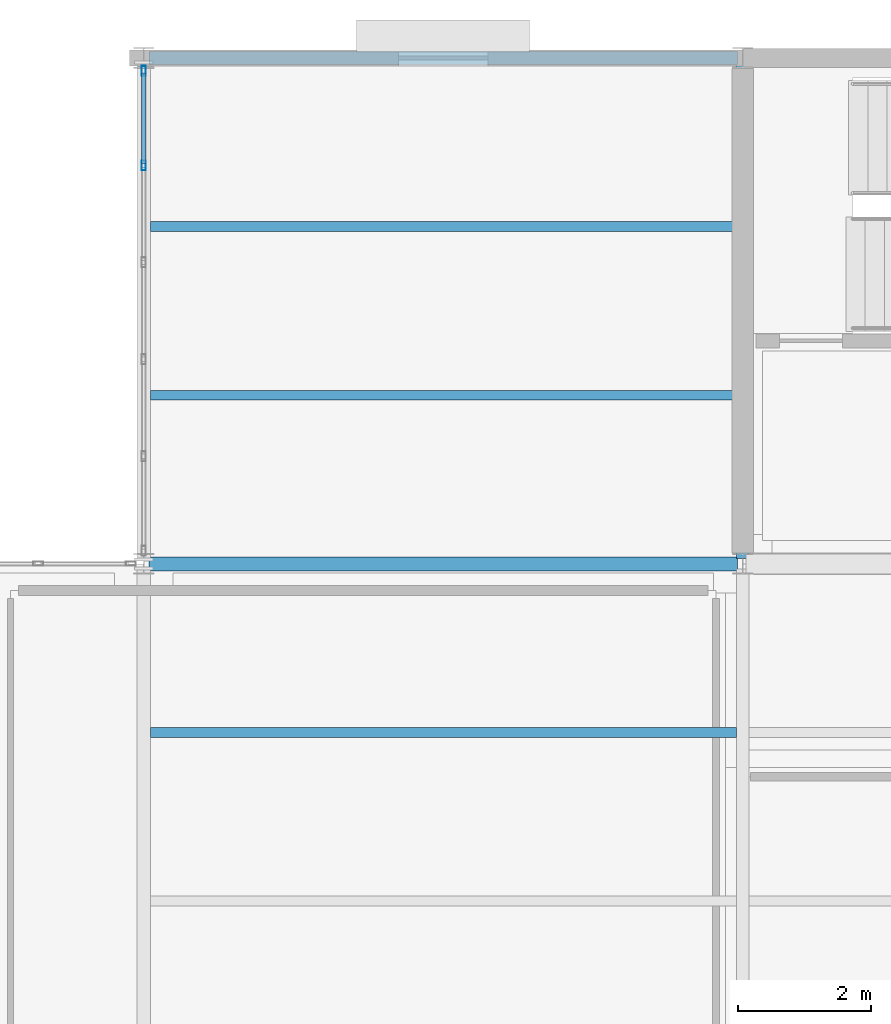
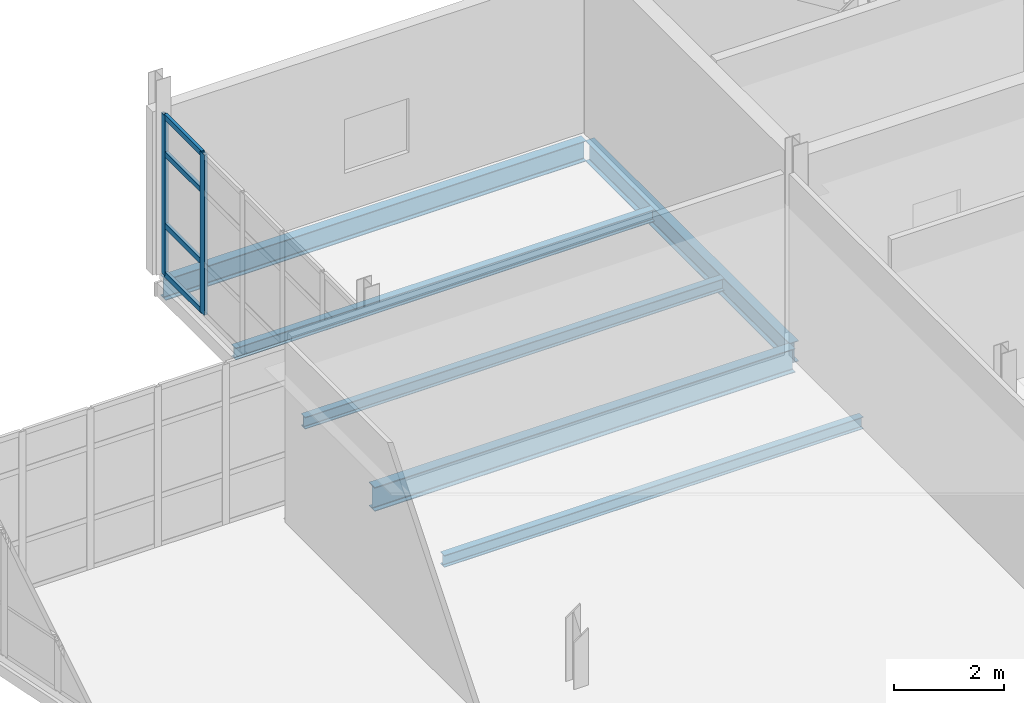
# One storey, part 105 of 166: 6 beams, 6 members, 1 element without a shape of its own.
"""IFC4 building model written with IfcOpenShell, lengths in metres."""

from ifc_helpers import new_model, si_unit, direction, frame, origin, origin_2d, place, context, subcontext, project, spatial, hollow_rectangle, i_section, extrude, material, material_profile, profile_set, type_object, element, aggregate, save


model = new_model("IFC4")

# Units and contexts
model_context = context("Model", 3, precision=1e-05, world=origin(), true_north=direction((0.0, 1.0)))
body_context = subcontext(model_context, "Body", "Model", "MODEL_VIEW")
ifc_project = project(units=[si_unit("LENGTHUNIT", "METRE"), si_unit("AREAUNIT", "SQUARE_METRE"), si_unit("VOLUMEUNIT", "CUBIC_METRE"), si_unit("PLANEANGLEUNIT", "RADIAN"), si_unit("MASSUNIT", "GRAM", prefix="KILO")], contexts=[model_context])

# Site, building, storey
site_placement = place(None, origin())
site = spatial("IfcSite", under=ifc_project, at=site_placement, CompositionType="ELEMENT")
building_placement = place(site_placement, origin())
building = spatial("IfcBuilding", under=site, at=building_placement, Name="Caisbarro Railhouse Central Library", CompositionType="ELEMENT")
storey_placement = place(building_placement, frame((0.0, 0.0, 9.360107421875)))
storey = spatial("IfcBuildingStorey", under=building, at=storey_placement, Name="L02", CompositionType="ELEMENT", Elevation=9.360107421875)

# Beams
ifc_material_1 = material(Name="Steel ASTM A572 Grade 50", Category="steel")
ifc_material_profile_1 = material_profile(ifc_material_1, i_section(OverallWidth=0.208984375, OverallDepth=0.532958984375, WebThickness=0.01025390625, FlangeThickness=0.015625, FilletRadius=0.02001953125, at=origin_2d()), Name="W530X92.0")
ifc_profile_set_1 = profile_set([ifc_material_profile_1], Name="Steel ASTM A572 Grade 50")
beam_type_1 = type_object("IfcBeamType", Name="BM-G06", PredefinedType="BEAM", material=ifc_profile_set_1)
beam_1_placement = place(storey_placement, frame((117.080078125, 106.39990234375, -0.486572265625), z_axis=(1.0, 0.0, 0.0), x_axis=(0.0, 1.0, 0.0)))
element("IfcBeam", 1, at=beam_1_placement, inside=storey, type_object=beam_type_1, Name="G06 beam L02 #1498", PredefinedType="BEAM", context=body_context, shape_type="SweptSolid", body=[
    extrude(i_section(OverallWidth=0.208984375, OverallDepth=0.532958984375, WebThickness=0.01025390625, FlangeThickness=0.015625, FilletRadius=0.02001953125, at=origin_2d()), origin(), (0.0, 0.0, 1.0), 8.83984375),
])
ifc_material_profile_2 = material_profile(ifc_material_1, i_section(OverallWidth=0.18994140625, OverallDepth=0.45703125, WebThickness=0.009033203125, FlangeThickness=0.014404296875, FilletRadius=0.01806640625, at=origin_2d()), Name="W460X74.0")
ifc_profile_set_2 = profile_set([ifc_material_profile_2], Name="Steel ASTM A572 Grade 50")
beam_type_2 = type_object("IfcBeamType", Name="BM-G08", PredefinedType="BEAM", material=ifc_profile_set_2)
beam_2_placement = place(storey_placement, frame((126.0, 106.47998046875, -0.448486328125), z_axis=(0.0, 1.0, 0.0), x_axis=(-1.0, 0.0, 0.0)))
element("IfcBeam", 2, at=beam_2_placement, inside=storey, type_object=beam_type_2, Name="G08 beam L02 #1519", PredefinedType="BEAM", context=body_context, shape_type="SweptSolid", body=[
    extrude(i_section(OverallWidth=0.18994140625, OverallDepth=0.45703125, WebThickness=0.009033203125, FlangeThickness=0.014404296875, FilletRadius=0.01806640625, at=origin_2d()), origin(), (0.0, 0.0, 1.0), 7.43994140625),
])
ifc_material_profile_3 = material_profile(ifc_material_1, i_section(OverallWidth=0.14794921875, OverallDepth=0.26611328125, WebThickness=0.007568359375, FlangeThickness=0.012939453125, FilletRadius=0.010009765625, at=origin_2d()), Name="W250X44.8")
ifc_profile_set_3 = profile_set([ifc_material_profile_3], Name="Steel ASTM A572 Grade 50")
beam_type_3 = type_object("IfcBeamType", Name="BM-J04", PredefinedType="JOIST", material=ifc_profile_set_3)
for number, where, z_axis, x_axis, name in (
    (3, (117.10009765625, 103.86669921875, -0.35302734375), (1.0, 0.0, 0.0), (0.0, 1.0, 0.0), "J04 beam L02 #1550"),
    (4, (117.10009765625, 108.933349609375, -0.35302734375), (1.0, 0.0, 0.0), (0.0, 1.0, 0.0), "J04 beam L02 #1551"),
    (5, (117.10009765625, 111.466796875, -0.35302734375), (1.0, 0.0, 0.0), (0.0, 1.0, 0.0), "J04 beam L02 #1552"),
):
    element("IfcBeam", number, at=place(storey_placement, frame(where, z_axis=z_axis, x_axis=x_axis)), inside=storey, type_object=beam_type_3, Name=name, PredefinedType="JOIST", context=body_context, shape_type="SweptSolid", body=[
        extrude(i_section(OverallWidth=0.14794921875, OverallDepth=0.26611328125, WebThickness=0.007568359375, FlangeThickness=0.012939453125, FilletRadius=0.010009765625, at=origin_2d()), origin(), (0.0, 0.0, 1.0), 8.804931640625),
    ])
ifc_material_profile_4 = material_profile(ifc_material_1, i_section(OverallWidth=0.18994140625, OverallDepth=0.45703125, WebThickness=0.009033203125, FlangeThickness=0.014404296875, FilletRadius=0.01806640625, at=origin_2d()), Name="W460X74.0")
ifc_profile_set_4 = profile_set([ifc_material_profile_4], Name="Steel ASTM A572 Grade 50")
beam_type_4 = type_object("IfcBeamType", Name="BM-SP01", PredefinedType="SPANDREL", material=ifc_profile_set_4)
beam_3_placement = place(storey_placement, frame((117.080078125, 114.0, -0.448486328125), z_axis=(1.0, 0.0, 0.0), x_axis=(0.0, 1.0, 0.0)))
element("IfcBeam", 6, at=beam_3_placement, inside=storey, type_object=beam_type_4, Name="SP01 beam L02 #1502", PredefinedType="SPANDREL", context=body_context, shape_type="SweptSolid", body=[
    extrude(i_section(OverallWidth=0.18994140625, OverallDepth=0.45703125, WebThickness=0.009033203125, FlangeThickness=0.014404296875, FilletRadius=0.01806640625, at=origin_2d()), origin(), (0.0, 0.0, 1.0), 8.83984375),
])

# Curtain wall, members
ifc_material_2 = material(Name="Anodised architectural aluminium", Category="aluminium")
curtain_wall_type = type_object("IfcCurtainWallType", Name="CW-CW03", PredefinedType="NOTDEFINED", material=ifc_material_2)
curtain_wall_placement = place(storey_placement, origin())
curtain_wall = element("IfcCurtainWall", 7, at=curtain_wall_placement, inside=storey, type_object=curtain_wall_type, Name="CW03 curtain wall L02 #132", PredefinedType="NOTDEFINED")
ifc_material_profile_5 = material_profile(ifc_material_2, hollow_rectangle(XDim=0.06494140625, YDim=0.14990234375, WallThickness=0.00390625, at=origin_2d()), Name="ALU-MUL-65X150")
ifc_profile_set_5 = profile_set([ifc_material_profile_5], Name="Anodised architectural aluminium")
member_type_1 = type_object("IfcMemberType", Name="CWM-M02", PredefinedType="MULLION", material=ifc_profile_set_5)
member_1_placement = place(storey_placement, frame((117.0, 112.384033203125, 0.0), z_axis=(0.0, 0.0, 1.0), x_axis=(-1.0, 0.0, 0.0)))
member_1 = element("IfcMember", 8, at=member_1_placement, type_object=member_type_1, Name="CW03 mullion 5", PredefinedType="MULLION", context=body_context, shape_type="SweptSolid", body=[
    extrude(hollow_rectangle(XDim=0.06494140625, YDim=0.14990234375, WallThickness=0.00390625, at=origin_2d()), origin(), (0.0, 0.0, 1.0), 3.559814453125),
])
member_2_placement = place(storey_placement, frame((117.0, 113.8076171875, 0.0), z_axis=(0.0, 0.0, 1.0), x_axis=(-1.0, 0.0, 0.0)))
member_2 = element("IfcMember", 9, at=member_2_placement, type_object=member_type_1, Name="CW03 mullion 6", PredefinedType="MULLION", context=body_context, shape_type="SweptSolid", body=[
    extrude(hollow_rectangle(XDim=0.06494140625, YDim=0.14990234375, WallThickness=0.00390625, at=origin_2d()), origin(), (0.0, 0.0, 1.0), 3.559814453125),
])
ifc_material_profile_6 = material_profile(ifc_material_2, hollow_rectangle(XDim=0.06494140625, YDim=0.1201171875, WallThickness=0.00341796875, at=origin_2d()), Name="ALU-TRN-65X120")
ifc_profile_set_6 = profile_set([ifc_material_profile_6], Name="Anodised architectural aluminium")
member_type_2 = type_object("IfcMemberType", Name="CWT-T02", PredefinedType="USERDEFINED", material=ifc_profile_set_6)
member_3_placement = place(storey_placement, frame((117.0, 112.41650390625, 0.032470703125), z_axis=(0.0, 1.0, 0.0), x_axis=(-1.0, 0.0, 0.0)))
member_3 = element("IfcMember", 10, at=member_3_placement, type_object=member_type_2, Name="CW03 transom 5.1", ObjectType="TRANSOM", PredefinedType="USERDEFINED", context=body_context, shape_type="SweptSolid", body=[
    extrude(hollow_rectangle(XDim=0.06494140625, YDim=0.1201171875, WallThickness=0.00341796875, at=origin_2d()), origin(), (0.0, 0.0, 1.0), 1.3583984375),
])
member_4_placement = place(storey_placement, frame((117.0, 112.41650390625, 1.119873046875), z_axis=(0.0, 1.0, 0.0), x_axis=(-1.0, 0.0, 0.0)))
member_4 = element("IfcMember", 11, at=member_4_placement, type_object=member_type_2, Name="CW03 transom 5.2", ObjectType="TRANSOM", PredefinedType="USERDEFINED", context=body_context, shape_type="SweptSolid", body=[
    extrude(hollow_rectangle(XDim=0.06494140625, YDim=0.1201171875, WallThickness=0.00341796875, at=origin_2d()), origin(), (0.0, 0.0, 1.0), 1.3583984375),
])
member_5_placement = place(storey_placement, frame((117.0, 112.41650390625, 2.7099609375), z_axis=(0.0, 1.0, 0.0), x_axis=(-1.0, 0.0, 0.0)))
member_5 = element("IfcMember", 12, at=member_5_placement, type_object=member_type_2, Name="CW03 transom 5.3", ObjectType="TRANSOM", PredefinedType="USERDEFINED", context=body_context, shape_type="SweptSolid", body=[
    extrude(hollow_rectangle(XDim=0.06494140625, YDim=0.1201171875, WallThickness=0.00341796875, at=origin_2d()), origin(), (0.0, 0.0, 1.0), 1.3583984375),
])
member_6_placement = place(storey_placement, frame((117.0, 112.41650390625, 3.52734375), z_axis=(0.0, 1.0, 0.0), x_axis=(-1.0, 0.0, 0.0)))
member_6 = element("IfcMember", 13, at=member_6_placement, type_object=member_type_2, Name="CW03 transom 5.4", ObjectType="TRANSOM", PredefinedType="USERDEFINED", context=body_context, shape_type="SweptSolid", body=[
    extrude(hollow_rectangle(XDim=0.06494140625, YDim=0.1201171875, WallThickness=0.00341796875, at=origin_2d()), origin(), (0.0, 0.0, 1.0), 1.3583984375),
])
aggregate(curtain_wall, [member_1, member_2, member_3, member_4, member_5, member_6])

save(model, "model.ifc")
